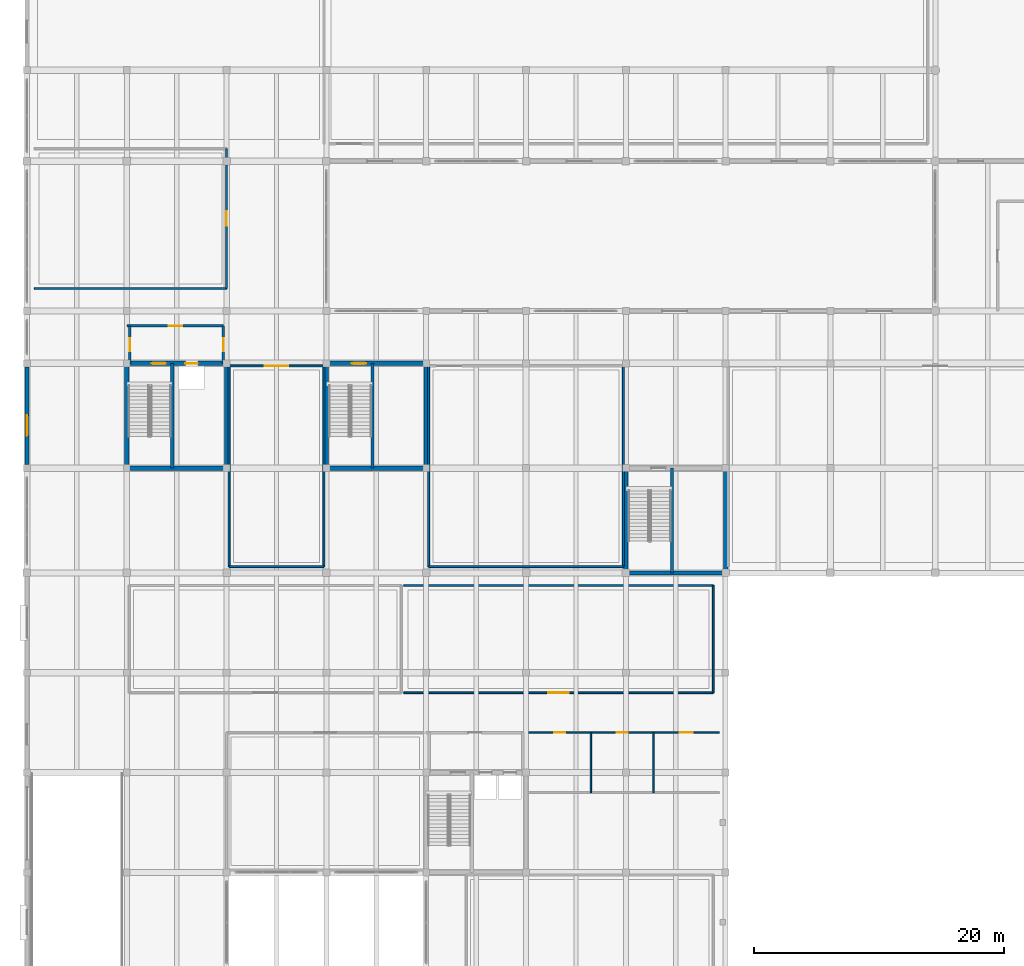
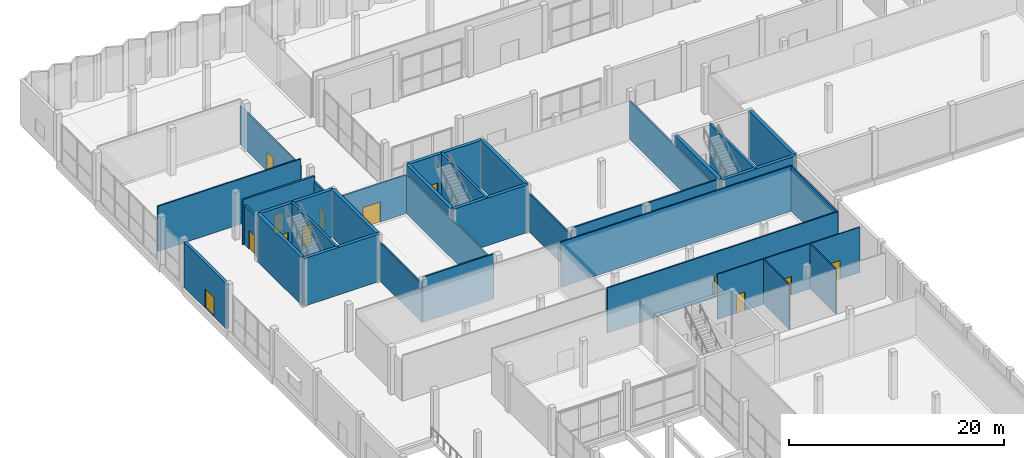
# One storey, part 25 of 41: 35 walls, 13 doors, 13 openings.
"""IFC4 building model written with IfcOpenShell, lengths in metres."""

from ifc_helpers import new_model, si_unit, direction, frame, frame_2d, origin, place, context, subcontext, project, spatial, rectangle, extrude, material, layer, layer_set, type_object, element, fill, save


model = new_model("IFC4")

# Units and contexts
model_context = context("Model", 3, precision=1e-05, world=origin(), true_north=direction((0.0, 1.0)))
body_context = subcontext(model_context, "Body", "Model", "MODEL_VIEW")
ifc_project = project(units=[si_unit("LENGTHUNIT", "METRE"), si_unit("AREAUNIT", "SQUARE_METRE"), si_unit("VOLUMEUNIT", "CUBIC_METRE"), si_unit("PLANEANGLEUNIT", "RADIAN"), si_unit("MASSUNIT", "GRAM", prefix="KILO")], contexts=[model_context])

# Site, building, storey
site_placement = place(None, origin())
site = spatial("IfcSite", under=ifc_project, at=site_placement, CompositionType="ELEMENT")
building_placement = place(site_placement, origin())
building = spatial("IfcBuilding", under=site, at=building_placement, Name="Vharandega Faculty of Natural Sciences", CompositionType="ELEMENT")
storey_placement = place(building_placement, origin())
storey = spatial("IfcBuildingStorey", under=building, at=storey_placement, Name="L00", CompositionType="ELEMENT", Elevation=0.0)

# Walls
ifc_material_1 = material(Name="Concrete C40/50", Category="concrete")
ifc_layer_1 = layer(ifc_material_1, 0.35009765625, Name="Concrete C40/50")
ifc_layer_set_1 = layer_set([ifc_layer_1], Name="Concrete C40/50")
wall_type_1 = type_object("IfcWallType", Name="Core Shear Wall 350", PredefinedType="SHEAR", material=ifc_layer_set_1)
wall_1_placement = place(storey_placement, frame((8.0, 72.39990234375, 0.0), z_axis=(0.0, 0.0, 1.0), x_axis=(1.0, 0.0, 0.0)))
element("IfcWall", 1, at=wall_1_placement, inside=storey, type_object=wall_type_1, Name="Interior Wall CW-C4-L00-S", PredefinedType="SHEAR", context=body_context, shape_type="SweptSolid", body=[
    extrude(rectangle(XDim=8.0, YDim=0.35009765625, at=frame_2d((4.0, 0.0))), origin(), (0.0, 0.0, 1.0), 5.39990234375),
])
for number, where, z_axis, x_axis, name in (
    (2, (8.0, 72.39990234375, 0.0), (0.0, 0.0, 1.0), (0.0, 1.0, 0.0), "Interior Wall CW-C4-L00-W"),
    (3, (16.0, 72.39990234375, 0.0), (0.0, 0.0, 1.0), (0.0, 1.0, 0.0), "Interior Wall CW-C4-L00-E"),
):
    element("IfcWall", number, at=place(storey_placement, frame(where, z_axis=z_axis, x_axis=x_axis)), inside=storey, type_object=wall_type_1, Name=name, PredefinedType="SHEAR", context=body_context, shape_type="SweptSolid", body=[
        extrude(rectangle(XDim=8.400146484375, YDim=0.35009765625, at=frame_2d((4.2001953125, 0.0))), origin(), (0.0, 0.0, 1.0), 5.39990234375),
    ])

# Wall, openings, doors
wall_2_placement = place(storey_placement, frame((8.0, 80.800048828125, 0.0), z_axis=(0.0, 0.0, 1.0), x_axis=(1.0, 0.0, 0.0)))
wall_2 = element("IfcWall", 4, at=wall_2_placement, inside=storey, type_object=wall_type_1, Name="Interior Wall CW-C4-L00-N", PredefinedType="SHEAR", context=body_context, shape_type="SweptSolid", body=[
    extrude(rectangle(XDim=8.0, YDim=0.35009765625, at=frame_2d((4.0, 0.0))), origin(), (0.0, 0.0, 1.0), 5.39990234375),
])
opening_1_placement = place(wall_2_placement, frame((1.97998046875, 0.0, 0.0)))
opening_1 = element("IfcOpeningElement", 5, at=opening_1_placement, cuts=wall_2, Name="Opening FD1", PredefinedType="OPENING", context=body_context, shape_type="SweptSolid", body=[
    extrude(rectangle(XDim=1.14990234375, YDim=2.199951171875, at=frame_2d((0.574951171875, 1.10009765625))), frame((0.0, 0.18505859375, 0.0), z_axis=(0.0, -1.0, 0.0), x_axis=(1.0, 0.0, 0.0)), (0.0, 0.0, 1.0), 0.3701171875),
])
opening_2_placement = place(wall_2_placement, frame((4.699951171875, 0.0, 0.0)))
opening_2 = element("IfcOpeningElement", 6, at=opening_2_placement, cuts=wall_2, Name="Opening LD-LP2-L00", PredefinedType="OPENING", context=body_context, shape_type="SweptSolid", body=[
    extrude(rectangle(XDim=1.0, YDim=2.14990234375, at=frame_2d((0.5, 1.074951171875))), frame((0.0, 0.18505859375, 0.0), z_axis=(0.0, -1.0, 0.0), x_axis=(1.0, 0.0, 0.0)), (0.0, 0.0, 1.0), 0.3701171875),
])
ifc_material_2 = material(Name="Solid-core hardwood timber fire door", Category="wood")
door_type_1 = type_object("IfcDoorType", Name="FD1-STAIR-1150x2200", OperationType="NOTDEFINED", PredefinedType="DOOR", material=ifc_material_2)
door_1_placement = place(opening_1_placement, origin())
door_1 = element("IfcDoor", 7, at=door_1_placement, inside=storey, type_object=door_type_1, Name="Stair ST4 Fire Door FD1", OperationType="SINGLE_SWING_LEFT", OverallHeight=2.199951171875, OverallWidth=1.14990234375, PredefinedType="DOOR", context=body_context, shape_type="SweptSolid", body=[
    extrude(rectangle(XDim=1.14990234375, YDim=2.199951171875, at=frame_2d((0.574951171875, 1.10009765625))), frame((0.0, 0.02490234375, 0.0), z_axis=(0.0, -1.0, 0.0), x_axis=(1.0, 0.0, 0.0)), (0.0, 0.0, 1.0), 0.050048828125),
])
fill(opening_1, door_1)
ifc_material_3 = material(Name="Brushed stainless steel sliding landing door", Category="steel")
door_type_2 = type_object("IfcDoorType", Name="LD2-PAXLIFT-SLIDING-1000x2150", OperationType="DOUBLE_DOOR_SLIDING", PredefinedType="DOOR", material=ifc_material_3)
door_2_placement = place(opening_2_placement, origin())
door_2 = element("IfcDoor", 8, at=door_2_placement, inside=storey, type_object=door_type_2, Name="Lift Landing Door LD-LP2-L00", OperationType="DOUBLE_DOOR_SLIDING", OverallHeight=2.14990234375, OverallWidth=1.0, PredefinedType="DOOR", context=body_context, shape_type="SweptSolid", body=[
    extrude(rectangle(XDim=1.0, YDim=2.14990234375, at=frame_2d((0.5, 1.074951171875))), frame((0.0, 0.02490234375, 0.0), z_axis=(0.0, -1.0, 0.0), x_axis=(1.0, 0.0, 0.0)), (0.0, 0.0, 1.0), 0.050048828125),
])
fill(opening_2, door_2)

# Walls
wall_3_placement = place(storey_placement, frame((48.0, 64.0, 0.0), z_axis=(0.0, 0.0, 1.0), x_axis=(1.0, 0.0, 0.0)))
element("IfcWall", 9, at=wall_3_placement, inside=storey, type_object=wall_type_1, Name="Interior Wall CW-C5-L00-S", PredefinedType="SHEAR", context=body_context, shape_type="SweptSolid", body=[
    extrude(rectangle(XDim=8.0, YDim=0.35009765625, at=frame_2d((4.0, 0.0))), origin(), (0.0, 0.0, 1.0), 5.39990234375),
])
for number, where, z_axis, x_axis, name in (
    (10, (48.0, 64.0, 0.0), (0.0, 0.0, 1.0), (0.0, 1.0, 0.0), "Interior Wall CW-C5-L00-W"),
    (11, (56.0, 64.0, 0.0), (0.0, 0.0, 1.0), (0.0, 1.0, 0.0), "Interior Wall CW-C5-L00-E"),
):
    element("IfcWall", number, at=place(storey_placement, frame(where, z_axis=z_axis, x_axis=x_axis)), inside=storey, type_object=wall_type_1, Name=name, PredefinedType="SHEAR", context=body_context, shape_type="SweptSolid", body=[
        extrude(rectangle(XDim=8.39990234375, YDim=0.35009765625, at=frame_2d((4.199951171875, 0.0))), origin(), (0.0, 0.0, 1.0), 5.39990234375),
    ])
wall_4_placement = place(storey_placement, frame((24.0, 72.39990234375, 0.0), z_axis=(0.0, 0.0, 1.0), x_axis=(1.0, 0.0, 0.0)))
element("IfcWall", 12, at=wall_4_placement, inside=storey, type_object=wall_type_1, Name="Interior Wall CW-C6-L00-S", PredefinedType="SHEAR", context=body_context, shape_type="SweptSolid", body=[
    extrude(rectangle(XDim=8.0, YDim=0.35009765625, at=frame_2d((4.0, 0.0))), origin(), (0.0, 0.0, 1.0), 5.39990234375),
])
for number, where, z_axis, x_axis, name in (
    (13, (24.0, 72.39990234375, 0.0), (0.0, 0.0, 1.0), (0.0, 1.0, 0.0), "Interior Wall CW-C6-L00-W"),
    (14, (32.0, 72.39990234375, 0.0), (0.0, 0.0, 1.0), (0.0, 1.0, 0.0), "Interior Wall CW-C6-L00-E"),
):
    element("IfcWall", number, at=place(storey_placement, frame(where, z_axis=z_axis, x_axis=x_axis)), inside=storey, type_object=wall_type_1, Name=name, PredefinedType="SHEAR", context=body_context, shape_type="SweptSolid", body=[
        extrude(rectangle(XDim=8.400146484375, YDim=0.35009765625, at=frame_2d((4.2001953125, 0.0))), origin(), (0.0, 0.0, 1.0), 5.39990234375),
    ])

# Wall, opening, door
wall_5_placement = place(storey_placement, frame((24.0, 80.800048828125, 0.0), z_axis=(0.0, 0.0, 1.0), x_axis=(1.0, 0.0, 0.0)))
wall_5 = element("IfcWall", 15, at=wall_5_placement, inside=storey, type_object=wall_type_1, Name="Interior Wall CW-C6-L00-N", PredefinedType="SHEAR", context=body_context, shape_type="SweptSolid", body=[
    extrude(rectangle(XDim=8.0, YDim=0.35009765625, at=frame_2d((4.0, 0.0))), origin(), (0.0, 0.0, 1.0), 5.39990234375),
])
opening_3_placement = place(wall_5_placement, frame((2.0400390625, 0.0, 0.0)))
opening_3 = element("IfcOpeningElement", 16, at=opening_3_placement, cuts=wall_5, Name="Opening FD1", PredefinedType="OPENING", context=body_context, shape_type="SweptSolid", body=[
    extrude(rectangle(XDim=1.14990234375, YDim=2.199951171875, at=frame_2d((0.574951171875, 1.10009765625))), frame((0.0, 0.18505859375, 0.0), z_axis=(0.0, -1.0, 0.0), x_axis=(1.0, 0.0, 0.0)), (0.0, 0.0, 1.0), 0.3701171875),
])
door_3_placement = place(opening_3_placement, origin())
door_3 = element("IfcDoor", 17, at=door_3_placement, inside=storey, type_object=door_type_1, Name="Stair ST6 Fire Door FD1", OperationType="SINGLE_SWING_LEFT", OverallHeight=2.199951171875, OverallWidth=1.14990234375, PredefinedType="DOOR", context=body_context, shape_type="SweptSolid", body=[
    extrude(rectangle(XDim=1.14990234375, YDim=2.199951171875, at=frame_2d((0.574951171875, 1.10009765625))), frame((0.0, 0.02490234375, 0.0), z_axis=(0.0, -1.0, 0.0), x_axis=(1.0, 0.0, 0.0)), (0.0, 0.0, 1.0), 0.050048828125),
])
fill(opening_3, door_3)

ifc_material_4 = material(Name="Concrete C40/50", Category="concrete")
ifc_layer_2 = layer(ifc_material_4, 0.199951171875, Name="Concrete C40/50")
ifc_layer_set_2 = layer_set([ifc_layer_2], Name="Concrete C40/50")
wall_type_2 = type_object("IfcWallType", Name="Firefighting Lobby Wall 200", PredefinedType="PARTITIONING", material=ifc_layer_set_2)
wall_6_placement = place(storey_placement, frame((8.0, 83.800048828125, 0.0), z_axis=(0.0, 0.0, 1.0), x_axis=(1.0, 0.0, 0.0)))
wall_6 = element("IfcWall", 18, at=wall_6_placement, inside=storey, type_object=wall_type_2, Name="Interior Wall PW-LL-C4-L00-N", PredefinedType="PARTITIONING", context=body_context, shape_type="SweptSolid", body=[
    extrude(rectangle(XDim=7.75, YDim=0.199951171875, at=frame_2d((3.875, 0.0))), origin(), (0.0, 0.0, 1.0), 5.1201171875),
])
opening_4_placement = place(wall_6_placement, frame((3.375, 0.0, 0.0)))
opening_4 = element("IfcOpeningElement", 19, at=opening_4_placement, cuts=wall_6, Name="Opening FD4", PredefinedType="OPENING", context=body_context, shape_type="SweptSolid", body=[
    extrude(rectangle(XDim=1.050048828125, YDim=2.14990234375, at=frame_2d((0.52490234375, 1.074951171875))), frame((0.0, 0.10986328125, 0.0), z_axis=(0.0, -1.0, 0.0), x_axis=(1.0, 0.0, 0.0)), (0.0, 0.0, 1.0), 0.219970703125),
])
ifc_material_5 = material(Name="Solid-core hardwood timber fire door", Category="wood")
door_type_3 = type_object("IfcDoorType", Name="FD4-LAB-SGL-1050x2150", OperationType="NOTDEFINED", PredefinedType="DOOR", material=ifc_material_5)
door_4_placement = place(opening_4_placement, origin())
door_4 = element("IfcDoor", 20, at=door_4_placement, inside=storey, type_object=door_type_3, Name="Lift Lobby C4 Door FD4", OperationType="SINGLE_SWING_LEFT", OverallHeight=2.14990234375, OverallWidth=1.050048828125, PredefinedType="DOOR", context=body_context, shape_type="SweptSolid", body=[
    extrude(rectangle(XDim=1.050048828125, YDim=2.14990234375, at=frame_2d((0.52490234375, 1.074951171875))), frame((0.0, 0.02490234375, 0.0), z_axis=(0.0, -1.0, 0.0), x_axis=(1.0, 0.0, 0.0)), (0.0, 0.0, 1.0), 0.050048828125),
])
fill(opening_4, door_4)

wall_7_placement = place(storey_placement, frame((15.75, 80.800048828125, 0.0), z_axis=(0.0, 0.0, 1.0), x_axis=(0.0, 1.0, 0.0)))
wall_7 = element("IfcWall", 21, at=wall_7_placement, inside=storey, type_object=wall_type_2, Name="Interior Wall PW-LL-C4-L00-E", PredefinedType="PARTITIONING", context=body_context, shape_type="SweptSolid", body=[
    extrude(rectangle(XDim=3.0, YDim=0.199951171875, at=frame_2d((1.5, 0.0))), origin(), (0.0, 0.0, 1.0), 4.489990234375),
])
opening_5_placement = place(wall_7_placement, frame((0.97509765625, 0.0, 0.0)))
opening_5 = element("IfcOpeningElement", 22, at=opening_5_placement, cuts=wall_7, Name="Opening FD4", PredefinedType="OPENING", context=body_context, shape_type="SweptSolid", body=[
    extrude(rectangle(XDim=1.050048828125, YDim=2.14990234375, at=frame_2d((0.52490234375, 1.074951171875))), frame((0.0, 0.10986328125, 0.0), z_axis=(0.0, -1.0, 0.0), x_axis=(1.0, 0.0, 0.0)), (0.0, 0.0, 1.0), 0.219970703125),
])
door_5_placement = place(opening_5_placement, origin())
door_5 = element("IfcDoor", 23, at=door_5_placement, inside=storey, type_object=door_type_3, Name="Lift Lobby C4 East Door FD4", OperationType="SINGLE_SWING_RIGHT", OverallHeight=2.14990234375, OverallWidth=1.050048828125, PredefinedType="DOOR", context=body_context, shape_type="SweptSolid", body=[
    extrude(rectangle(XDim=1.050048828125, YDim=2.14990234375, at=frame_2d((0.52490234375, 1.074951171875))), frame((0.0, 0.02490234375, 0.0), z_axis=(0.0, -1.0, 0.0), x_axis=(1.0, 0.0, 0.0)), (0.0, 0.0, 1.0), 0.050048828125),
])
fill(opening_5, door_5)

wall_8_placement = place(storey_placement, frame((8.25, 80.800048828125, 0.0), z_axis=(0.0, 0.0, 1.0), x_axis=(0.0, 1.0, 0.0)))
wall_8 = element("IfcWall", 24, at=wall_8_placement, inside=storey, type_object=wall_type_2, Name="Interior Wall PW-LL-C4-L00-W", PredefinedType="PARTITIONING", context=body_context, shape_type="SweptSolid", body=[
    extrude(rectangle(XDim=3.0, YDim=0.199951171875, at=frame_2d((1.5, 0.0))), origin(), (0.0, 0.0, 1.0), 4.489990234375),
])
opening_6_placement = place(wall_8_placement, frame((0.97509765625, 0.0, 0.0)))
opening_6 = element("IfcOpeningElement", 25, at=opening_6_placement, cuts=wall_8, Name="Opening FD4", PredefinedType="OPENING", context=body_context, shape_type="SweptSolid", body=[
    extrude(rectangle(XDim=1.050048828125, YDim=2.14990234375, at=frame_2d((0.52490234375, 1.074951171875))), frame((0.0, 0.10986328125, 0.0), z_axis=(0.0, -1.0, 0.0), x_axis=(1.0, 0.0, 0.0)), (0.0, 0.0, 1.0), 0.219970703125),
])
door_6_placement = place(opening_6_placement, origin())
door_6 = element("IfcDoor", 26, at=door_6_placement, inside=storey, type_object=door_type_3, Name="Lift Lobby C4 Exit Door FD4", OperationType="SINGLE_SWING_LEFT", OverallHeight=2.14990234375, OverallWidth=1.050048828125, PredefinedType="DOOR", context=body_context, shape_type="SweptSolid", body=[
    extrude(rectangle(XDim=1.050048828125, YDim=2.14990234375, at=frame_2d((0.52490234375, 1.074951171875))), frame((0.0, 0.02490234375, 0.0), z_axis=(0.0, -1.0, 0.0), x_axis=(1.0, 0.0, 0.0)), (0.0, 0.0, 1.0), 0.050048828125),
])
fill(opening_6, door_6)

ifc_material_6 = material(Name="Granite ashlar masonry 25 MPa", Category="masonry")
ifc_layer_3 = layer(ifc_material_6, 0.320068359375, Name="Granite ashlar masonry 25 MPa")
ifc_layer_set_3 = layer_set([ifc_layer_3], Name="Granite ashlar masonry 25 MPa")
wall_type_3 = type_object("IfcWallType", Name="Harare Granite Plinth Wall 320", PredefinedType="SOLIDWALL", material=ifc_layer_set_3)
wall_9_placement = place(storey_placement, frame((0.0, 72.673095703125, 0.0), z_axis=(0.0, 0.0, 1.0), x_axis=(0.0, 1.0, 0.0)))
wall_9 = element("IfcWall", 27, at=wall_9_placement, inside=storey, type_object=wall_type_3, Name="Exterior Wall EW-V2W-L00-2", PredefinedType="SOLIDWALL", context=body_context, shape_type="SweptSolid", body=[
    extrude(rectangle(XDim=7.85400390625, YDim=0.320068359375, at=frame_2d((3.927001953125, 0.0))), origin(), (0.0, 0.0, 1.0), 5.1201171875),
])
opening_7_placement = place(wall_9_placement, frame((2.306884765625, 0.0, 0.0)))
opening_7 = element("IfcOpeningElement", 28, at=opening_7_placement, cuts=wall_9, Name="Opening EX-C4", PredefinedType="OPENING", context=body_context, shape_type="SweptSolid", body=[
    extrude(rectangle(XDim=1.64990234375, YDim=2.199951171875, at=frame_2d((0.824951171875, 1.10009765625))), frame((0.0, 0.169921875, 0.0), z_axis=(0.0, -1.0, 0.0), x_axis=(1.0, 0.0, 0.0)), (0.0, 0.0, 1.0), 0.340087890625),
])
ifc_material_7 = material(Name="Thermally broken glazed aluminium door", Category="aluminium")
door_type_4 = type_object("IfcDoorType", Name="EXT-EXIT-DBL-1650x2200", OperationType="DOUBLE_DOOR_SINGLE_SWING", PredefinedType="DOOR", material=ifc_material_7)
door_7_placement = place(opening_7_placement, origin())
door_7 = element("IfcDoor", 29, at=door_7_placement, inside=storey, type_object=door_type_4, Name="Core C4 Street Final Exit EX-C4", OperationType="DOUBLE_DOOR_SINGLE_SWING", OverallHeight=2.199951171875, OverallWidth=1.64990234375, PredefinedType="DOOR", context=body_context, shape_type="SweptSolid", body=[
    extrude(rectangle(XDim=1.64990234375, YDim=2.199951171875, at=frame_2d((0.824951171875, 1.10009765625))), frame((0.0, 0.02490234375, 0.0), z_axis=(0.0, -1.0, 0.0), x_axis=(1.0, 0.0, 0.0)), (0.0, 0.0, 1.0), 0.050048828125),
])
fill(opening_7, door_7)

# Wall
ifc_material_8 = material(Name="Gypsum fire-board on steel stud", Category="steel")
ifc_layer_4 = layer(ifc_material_8, 0.159912109375, Name="Gypsum fire-board on steel stud")
ifc_layer_set_4 = layer_set([ifc_layer_4], Name="Gypsum fire-board on steel stud")
wall_type_4 = type_object("IfcWallType", Name="Laboratory Fire Corridor Wall 160", PredefinedType="PARTITIONING", material=ifc_layer_set_4)
wall_10_placement = place(storey_placement, frame((16.199951171875, 64.5, 0.0), z_axis=(0.0, 0.0, 1.0), x_axis=(1.0, 0.0, 0.0)))
element("IfcWall", 30, at=wall_10_placement, inside=storey, type_object=wall_type_4, Name="Interior Wall PW-L00-R14S", PredefinedType="PARTITIONING", context=body_context, shape_type="SweptSolid", body=[
    extrude(rectangle(XDim=7.60009765625, YDim=0.159912109375, at=frame_2d((3.800048828125, 0.0))), origin(), (0.0, 0.0, 1.0), 5.139892578125),
])

# Wall, opening, door
wall_11_placement = place(storey_placement, frame((16.199951171875, 80.60009765625, 0.0), z_axis=(0.0, 0.0, 1.0), x_axis=(1.0, 0.0, 0.0)))
wall_11 = element("IfcWall", 31, at=wall_11_placement, inside=storey, type_object=wall_type_4, Name="Interior Wall PW-L00-R14N", PredefinedType="PARTITIONING", context=body_context, shape_type="SweptSolid", body=[
    extrude(rectangle(XDim=7.60009765625, YDim=0.159912109375, at=frame_2d((3.800048828125, 0.0))), origin(), (0.0, 0.0, 1.0), 4.389892578125),
])
opening_8_placement = place(wall_11_placement, frame((2.85009765625, 0.0, 0.0)))
opening_8 = element("IfcOpeningElement", 32, at=opening_8_placement, cuts=wall_11, Name="Opening D0241", PredefinedType="OPENING", context=body_context, shape_type="SweptSolid", body=[
    extrude(rectangle(XDim=1.89990234375, YDim=2.300048828125, at=frame_2d((0.949951171875, 1.14990234375))), frame((0.0, 0.08984375, 0.0), z_axis=(0.0, -1.0, 0.0), x_axis=(1.0, 0.0, 0.0)), (0.0, 0.0, 1.0), 0.179931640625),
])
ifc_material_9 = material(Name="Solid-core hardwood timber fire door", Category="wood")
door_type_5 = type_object("IfcDoorType", Name="ID08-COMMONS-DBL-1900x2300", OperationType="DOUBLE_DOOR_SINGLE_SWING", PredefinedType="DOOR", material=ifc_material_9)
door_8_placement = place(opening_8_placement, origin())
door_8 = element("IfcDoor", 33, at=door_8_placement, inside=storey, type_object=door_type_5, Name="Atrium West Exhibition Gallery Door D0241", OperationType="DOUBLE_DOOR_SINGLE_SWING", OverallHeight=2.300048828125, OverallWidth=1.89990234375, PredefinedType="DOOR", context=body_context, shape_type="SweptSolid", body=[
    extrude(rectangle(XDim=1.89990234375, YDim=2.300048828125, at=frame_2d((0.949951171875, 1.14990234375))), frame((0.0, 0.02490234375, 0.0), z_axis=(0.0, -1.0, 0.0), x_axis=(1.0, 0.0, 0.0)), (0.0, 0.0, 1.0), 0.050048828125),
])
fill(opening_8, door_8)

# Walls
wall_12_placement = place(storey_placement, frame((16.199951171875, 64.5, 0.0), z_axis=(0.0, 0.0, 1.0), x_axis=(0.0, 1.0, 0.0)))
element("IfcWall", 34, at=wall_12_placement, inside=storey, type_object=wall_type_4, Name="Interior Wall PW-L00-R14W", PredefinedType="PARTITIONING", context=body_context, shape_type="SweptSolid", body=[
    extrude(rectangle(XDim=16.10009765625, YDim=0.159912109375, at=frame_2d((8.050048828125, 0.0))), origin(), (0.0, 0.0, 1.0), 4.389892578125),
])
wall_13_placement = place(storey_placement, frame((23.800048828125, 64.5, 0.0), z_axis=(0.0, 0.0, 1.0), x_axis=(0.0, 1.0, 0.0)))
element("IfcWall", 35, at=wall_13_placement, inside=storey, type_object=wall_type_4, Name="Interior Wall PW-L00-R14E", PredefinedType="PARTITIONING", context=body_context, shape_type="SweptSolid", body=[
    extrude(rectangle(XDim=16.10009765625, YDim=0.159912109375, at=frame_2d((8.050048828125, 0.0))), origin(), (0.0, 0.0, 1.0), 4.3701171875),
])
wall_14_placement = place(storey_placement, frame((32.199951171875, 64.5, 0.0), z_axis=(0.0, 0.0, 1.0), x_axis=(1.0, 0.0, 0.0)))
element("IfcWall", 36, at=wall_14_placement, inside=storey, type_object=wall_type_4, Name="Interior Wall PW-L00-R15S", PredefinedType="PARTITIONING", context=body_context, shape_type="SweptSolid", body=[
    extrude(rectangle(XDim=15.60009765625, YDim=0.159912109375, at=frame_2d((7.800048828125, 0.0))), origin(), (0.0, 0.0, 1.0), 5.139892578125),
])
for number, where, z_axis, x_axis, name in (
    (37, (32.199951171875, 64.5, 0.0), (0.0, 0.0, 1.0), (0.0, 1.0, 0.0), "Interior Wall PW-L00-R15W"),
    (38, (47.800048828125, 64.5, 0.0), (0.0, 0.0, 1.0), (0.0, 1.0, 0.0), "Interior Wall PW-L00-R15E"),
):
    element("IfcWall", number, at=place(storey_placement, frame(where, z_axis=z_axis, x_axis=x_axis)), inside=storey, type_object=wall_type_4, Name=name, PredefinedType="PARTITIONING", context=body_context, shape_type="SweptSolid", body=[
        extrude(rectangle(XDim=16.10009765625, YDim=0.159912109375, at=frame_2d((8.050048828125, 0.0))), origin(), (0.0, 0.0, 1.0), 4.3701171875),
    ])
ifc_material_10 = material(Name="Concrete C40/50", Category="concrete")
ifc_layer_5 = layer(ifc_material_10, 0.260009765625, Name="Concrete C40/50")
ifc_layer_set_5 = layer_set([ifc_layer_5], Name="Concrete C40/50")
wall_type_5 = type_object("IfcWallType", Name="Lift Shaft Shear Wall 260", PredefinedType="SHEAR", material=ifc_layer_set_5)
wall_15_placement = place(storey_placement, frame((11.639892578125, 72.39990234375, 0.0), z_axis=(0.0, 0.0, 1.0), x_axis=(0.0, 1.0, 0.0)))
element("IfcWall", 39, at=wall_15_placement, inside=storey, type_object=wall_type_5, Name="Interior Wall CW-C4-L00-DIV", PredefinedType="SHEAR", context=body_context, shape_type="SweptSolid", body=[
    extrude(rectangle(XDim=8.400146484375, YDim=0.260009765625, at=frame_2d((4.2001953125, 0.0))), origin(), (0.0, 0.0, 1.0), 5.39990234375),
])
wall_16_placement = place(storey_placement, frame((51.699951171875, 64.0, 0.0), z_axis=(0.0, 0.0, 1.0), x_axis=(0.0, 1.0, 0.0)))
element("IfcWall", 40, at=wall_16_placement, inside=storey, type_object=wall_type_5, Name="Interior Wall CW-C5-L00-DIV", PredefinedType="SHEAR", context=body_context, shape_type="SweptSolid", body=[
    extrude(rectangle(XDim=8.39990234375, YDim=0.260009765625, at=frame_2d((4.199951171875, 0.0))), origin(), (0.0, 0.0, 1.0), 5.39990234375),
])
wall_17_placement = place(storey_placement, frame((27.699951171875, 72.39990234375, 0.0), z_axis=(0.0, 0.0, 1.0), x_axis=(0.0, 1.0, 0.0)))
element("IfcWall", 41, at=wall_17_placement, inside=storey, type_object=wall_type_5, Name="Interior Wall CW-C6-L00-DIV", PredefinedType="SHEAR", context=body_context, shape_type="SweptSolid", body=[
    extrude(rectangle(XDim=8.400146484375, YDim=0.260009765625, at=frame_2d((4.2001953125, 0.0))), origin(), (0.0, 0.0, 1.0), 5.39990234375),
])

# Wall, opening, door
ifc_material_11 = material(Name="Gypsum acoustic partition", Category="gypsum")
ifc_layer_6 = layer(ifc_material_11, 0.139892578125, Name="Gypsum acoustic partition")
ifc_layer_set_6 = layer_set([ifc_layer_6], Name="Gypsum acoustic partition")
wall_type_6 = type_object("IfcWallType", Name="Room Partition Wall 140", PredefinedType="PARTITIONING", material=ifc_layer_set_6)
wall_18_placement = place(storey_placement, frame((30.199951171875, 54.39990234375, 0.0), z_axis=(0.0, 0.0, 1.0), x_axis=(1.0, 0.0, 0.0)))
wall_18 = element("IfcWall", 42, at=wall_18_placement, inside=storey, type_object=wall_type_6, Name="Interior Wall PW-L00-R06S", PredefinedType="PARTITIONING", context=body_context, shape_type="SweptSolid", body=[
    extrude(rectangle(XDim=24.800048828125, YDim=0.139892578125, at=frame_2d((12.39990234375, 0.0))), origin(), (0.0, 0.0, 1.0), 5.139892578125),
])
opening_9_placement = place(wall_18_placement, frame((11.574951171875, 0.0, 0.0)))
opening_9 = element("IfcOpeningElement", 43, at=opening_9_placement, cuts=wall_18, Name="Opening D0234", PredefinedType="OPENING", context=body_context, shape_type="SweptSolid", body=[
    extrude(rectangle(XDim=1.64990234375, YDim=2.300048828125, at=frame_2d((0.824951171875, 1.14990234375))), frame((0.0, 0.080078125, 0.0), z_axis=(0.0, -1.0, 0.0), x_axis=(1.0, 0.0, 0.0)), (0.0, 0.0, 1.0), 0.159912109375),
])
ifc_material_12 = material(Name="Solid-core hardwood timber fire door", Category="wood")
door_type_6 = type_object("IfcDoorType", Name="ID11-BOARDROOM-DBL-1650x2300", OperationType="DOUBLE_DOOR_SINGLE_SWING", PredefinedType="DOOR", material=ifc_material_12)
door_9_placement = place(opening_9_placement, origin())
door_9 = element("IfcDoor", 44, at=door_9_placement, inside=storey, type_object=door_type_6, Name="Undergraduate Tutorial Room 03 Door D0234", OperationType="DOUBLE_DOOR_SINGLE_SWING", OverallHeight=2.300048828125, OverallWidth=1.64990234375, PredefinedType="DOOR", context=body_context, shape_type="SweptSolid", body=[
    extrude(rectangle(XDim=1.64990234375, YDim=2.300048828125, at=frame_2d((0.824951171875, 1.14990234375))), frame((0.0, 0.02490234375, 0.0), z_axis=(0.0, -1.0, 0.0), x_axis=(1.0, 0.0, 0.0)), (0.0, 0.0, 1.0), 0.050048828125),
])
fill(opening_9, door_9)

# Walls
wall_19_placement = place(storey_placement, frame((30.199951171875, 63.0, 0.0), z_axis=(0.0, 0.0, 1.0), x_axis=(1.0, 0.0, 0.0)))
element("IfcWall", 45, at=wall_19_placement, inside=storey, type_object=wall_type_6, Name="Interior Wall PW-L00-R06N", PredefinedType="PARTITIONING", context=body_context, shape_type="SweptSolid", body=[
    extrude(rectangle(XDim=24.800048828125, YDim=0.139892578125, at=frame_2d((12.39990234375, 0.0))), origin(), (0.0, 0.0, 1.0), 5.139892578125),
])
wall_20_placement = place(storey_placement, frame((55.0, 54.39990234375, 0.0), z_axis=(0.0, 0.0, 1.0), x_axis=(0.0, 1.0, 0.0)))
element("IfcWall", 46, at=wall_20_placement, inside=storey, type_object=wall_type_6, Name="Interior Wall PW-L00-R06E", PredefinedType="PARTITIONING", context=body_context, shape_type="SweptSolid", body=[
    extrude(rectangle(XDim=8.60009765625, YDim=0.139892578125, at=frame_2d((4.300048828125, 0.0))), origin(), (0.0, 0.0, 1.0), 5.139892578125),
])
wall_21_placement = place(storey_placement, frame((0.60009765625, 86.800048828125, 0.0), z_axis=(0.0, 0.0, 1.0), x_axis=(1.0, 0.0, 0.0)))
element("IfcWall", 47, at=wall_21_placement, inside=storey, type_object=wall_type_6, Name="Interior Wall PW-L00-R10S", PredefinedType="PARTITIONING", context=body_context, shape_type="SweptSolid", body=[
    extrude(rectangle(XDim=15.39990234375, YDim=0.139892578125, at=frame_2d((7.699951171875, 0.0))), origin(), (0.0, 0.0, 1.0), 5.139892578125),
])

# Wall, opening, door
wall_22_placement = place(storey_placement, frame((16.0, 86.800048828125, 0.0), z_axis=(0.0, 0.0, 1.0), x_axis=(0.0, 1.0, 0.0)))
wall_22 = element("IfcWall", 48, at=wall_22_placement, inside=storey, type_object=wall_type_6, Name="Interior Wall PW-L00-R10E", PredefinedType="PARTITIONING", context=body_context, shape_type="SweptSolid", body=[
    extrude(rectangle(XDim=11.199951171875, YDim=0.139892578125, at=frame_2d((5.60009765625, 0.0))), origin(), (0.0, 0.0, 1.0), 4.389892578125),
])
opening_10_placement = place(wall_22_placement, frame((5.010009765625, 0.0, 0.0)))
opening_10 = element("IfcOpeningElement", 49, at=opening_10_placement, cuts=wall_22, Name="Opening D0238", PredefinedType="OPENING", context=body_context, shape_type="SweptSolid", body=[
    extrude(rectangle(XDim=1.179931640625, YDim=2.179931640625, at=frame_2d((0.58984375, 1.08984375))), frame((0.0, 0.080078125, 0.0), z_axis=(0.0, -1.0, 0.0), x_axis=(1.0, 0.0, 0.0)), (0.0, 0.0, 1.0), 0.159912109375),
])
ifc_material_13 = material(Name="Solid-core hardwood timber fire door", Category="wood")
door_type_7 = type_object("IfcDoorType", Name="ID15-TUTORIAL-1180x2180", OperationType="NOTDEFINED", PredefinedType="DOOR", material=ifc_material_13)
door_10_placement = place(opening_10_placement, origin())
door_10 = element("IfcDoor", 50, at=door_10_placement, inside=storey, type_object=door_type_7, Name="Campus Science Cafe and Dining Hall Door D0238", OperationType="SINGLE_SWING_RIGHT", OverallHeight=2.179931640625, OverallWidth=1.179931640625, PredefinedType="DOOR", context=body_context, shape_type="SweptSolid", body=[
    extrude(rectangle(XDim=1.179931640625, YDim=2.179931640625, at=frame_2d((0.58984375, 1.08984375))), frame((0.0, 0.02490234375, 0.0), z_axis=(0.0, -1.0, 0.0), x_axis=(1.0, 0.0, 0.0)), (0.0, 0.0, 1.0), 0.050048828125),
])
fill(opening_10, door_10)

ifc_material_14 = material(Name="Moisture-resistant gypsum partition", Category="gypsum")
ifc_layer_7 = layer(ifc_material_14, 0.1201171875, Name="Moisture-resistant gypsum partition")
ifc_layer_set_7 = layer_set([ifc_layer_7], Name="Moisture-resistant gypsum partition")
wall_type_7 = type_object("IfcWallType", Name="Sanitary Wet Wall 120", PredefinedType="PARTITIONING", material=ifc_layer_set_7)
wall_23_placement = place(storey_placement, frame((40.199951171875, 51.199951171875, 0.0), z_axis=(0.0, 0.0, 1.0), x_axis=(1.0, 0.0, 0.0)))
wall_23 = element("IfcWall", 51, at=wall_23_placement, inside=storey, type_object=wall_type_7, Name="Interior Wall PW-L00-R07N", PredefinedType="PARTITIONING", context=body_context, shape_type="SweptSolid", body=[
    extrude(rectangle(XDim=5.0, YDim=0.1201171875, at=frame_2d((2.5, 0.0))), origin(), (0.0, 0.0, 1.0), 5.139892578125),
])
opening_11_placement = place(wall_23_placement, frame((2.06005859375, 0.0, 0.0)))
opening_11 = element("IfcOpeningElement", 52, at=opening_11_placement, cuts=wall_23, Name="Opening D0235", PredefinedType="OPENING", context=body_context, shape_type="SweptSolid", body=[
    extrude(rectangle(XDim=0.8798828125, YDim=2.10009765625, at=frame_2d((0.43994140625, 1.050048828125))), frame((0.0, 0.070068359375, 0.0), z_axis=(0.0, -1.0, 0.0), x_axis=(1.0, 0.0, 0.0)), (0.0, 0.0, 1.0), 0.14013671875),
])
ifc_material_15 = material(Name="Solid-core hardwood timber fire door", Category="wood")
door_type_8 = type_object("IfcDoorType", Name="ID06-WC-0880x2100", OperationType="NOTDEFINED", PredefinedType="DOOR", material=ifc_material_15)
door_11_placement = place(opening_11_placement, origin())
door_11 = element("IfcDoor", 53, at=door_11_placement, inside=storey, type_object=door_type_8, Name="Ground Male Washroom Door D0235", OperationType="SINGLE_SWING_LEFT", OverallHeight=2.10009765625, OverallWidth=0.8798828125, PredefinedType="DOOR", context=body_context, shape_type="SweptSolid", body=[
    extrude(rectangle(XDim=0.8798828125, YDim=2.10009765625, at=frame_2d((0.43994140625, 1.050048828125))), frame((0.0, 0.02490234375, 0.0), z_axis=(0.0, -1.0, 0.0), x_axis=(1.0, 0.0, 0.0)), (0.0, 0.0, 1.0), 0.050048828125),
])
fill(opening_11, door_11)

# Wall
wall_24_placement = place(storey_placement, frame((45.199951171875, 46.39990234375, 0.0), z_axis=(0.0, 0.0, 1.0), x_axis=(0.0, 1.0, 0.0)))
element("IfcWall", 54, at=wall_24_placement, inside=storey, type_object=wall_type_7, Name="Interior Wall PW-L00-R07E", PredefinedType="PARTITIONING", context=body_context, shape_type="SweptSolid", body=[
    extrude(rectangle(XDim=4.800048828125, YDim=0.1201171875, at=frame_2d((2.39990234375, 0.0))), origin(), (0.0, 0.0, 1.0), 5.139892578125),
])

# Wall, opening, door
wall_25_placement = place(storey_placement, frame((45.199951171875, 51.199951171875, 0.0), z_axis=(0.0, 0.0, 1.0), x_axis=(1.0, 0.0, 0.0)))
wall_25 = element("IfcWall", 55, at=wall_25_placement, inside=storey, type_object=wall_type_7, Name="Interior Wall PW-L00-R08N", PredefinedType="PARTITIONING", context=body_context, shape_type="SweptSolid", body=[
    extrude(rectangle(XDim=5.0, YDim=0.1201171875, at=frame_2d((2.5, 0.0))), origin(), (0.0, 0.0, 1.0), 5.139892578125),
])
opening_12_placement = place(wall_25_placement, frame((2.06005859375, 0.0, 0.0)))
opening_12 = element("IfcOpeningElement", 56, at=opening_12_placement, cuts=wall_25, Name="Opening D0236", PredefinedType="OPENING", context=body_context, shape_type="SweptSolid", body=[
    extrude(rectangle(XDim=0.8798828125, YDim=2.10009765625, at=frame_2d((0.43994140625, 1.050048828125))), frame((0.0, 0.070068359375, 0.0), z_axis=(0.0, -1.0, 0.0), x_axis=(1.0, 0.0, 0.0)), (0.0, 0.0, 1.0), 0.14013671875),
])
door_12_placement = place(opening_12_placement, origin())
door_12 = element("IfcDoor", 57, at=door_12_placement, inside=storey, type_object=door_type_8, Name="Ground Female Washroom Door D0236", OperationType="SINGLE_SWING_RIGHT", OverallHeight=2.10009765625, OverallWidth=0.8798828125, PredefinedType="DOOR", context=body_context, shape_type="SweptSolid", body=[
    extrude(rectangle(XDim=0.8798828125, YDim=2.10009765625, at=frame_2d((0.43994140625, 1.050048828125))), frame((0.0, 0.02490234375, 0.0), z_axis=(0.0, -1.0, 0.0), x_axis=(1.0, 0.0, 0.0)), (0.0, 0.0, 1.0), 0.050048828125),
])
fill(opening_12, door_12)

# Wall
wall_26_placement = place(storey_placement, frame((50.199951171875, 46.39990234375, 0.0), z_axis=(0.0, 0.0, 1.0), x_axis=(0.0, 1.0, 0.0)))
element("IfcWall", 58, at=wall_26_placement, inside=storey, type_object=wall_type_7, Name="Interior Wall PW-L00-R08E", PredefinedType="PARTITIONING", context=body_context, shape_type="SweptSolid", body=[
    extrude(rectangle(XDim=4.800048828125, YDim=0.1201171875, at=frame_2d((2.39990234375, 0.0))), origin(), (0.0, 0.0, 1.0), 5.139892578125),
])

# Wall, opening, door
wall_27_placement = place(storey_placement, frame((50.199951171875, 51.199951171875, 0.0), z_axis=(0.0, 0.0, 1.0), x_axis=(1.0, 0.0, 0.0)))
wall_27 = element("IfcWall", 59, at=wall_27_placement, inside=storey, type_object=wall_type_7, Name="Interior Wall PW-L00-R09N", PredefinedType="PARTITIONING", context=body_context, shape_type="SweptSolid", body=[
    extrude(rectangle(XDim=5.300048828125, YDim=0.1201171875, at=frame_2d((2.64990234375, 0.0))), origin(), (0.0, 0.0, 1.0), 5.139892578125),
])
opening_13_placement = place(wall_27_placement, frame((2.139892578125, 0.0, 0.0)))
opening_13 = element("IfcOpeningElement", 60, at=opening_13_placement, cuts=wall_27, Name="Opening D0237", PredefinedType="OPENING", context=body_context, shape_type="SweptSolid", body=[
    extrude(rectangle(XDim=1.02001953125, YDim=2.10009765625, at=frame_2d((0.510009765625, 1.050048828125))), frame((0.0, 0.070068359375, 0.0), z_axis=(0.0, -1.0, 0.0), x_axis=(1.0, 0.0, 0.0)), (0.0, 0.0, 1.0), 0.14013671875),
])
ifc_material_16 = material(Name="Solid-core hardwood timber fire door", Category="wood")
door_type_9 = type_object("IfcDoorType", Name="ID07-ACCWC-1020x2100", OperationType="NOTDEFINED", PredefinedType="DOOR", material=ifc_material_16)
door_13_placement = place(opening_13_placement, origin())
door_13 = element("IfcDoor", 61, at=door_13_placement, inside=storey, type_object=door_type_9, Name="Ground Accessible WC Door D0237", OperationType="SINGLE_SWING_LEFT", OverallHeight=2.10009765625, OverallWidth=1.02001953125, PredefinedType="DOOR", context=body_context, shape_type="SweptSolid", body=[
    extrude(rectangle(XDim=1.02001953125, YDim=2.10009765625, at=frame_2d((0.510009765625, 1.050048828125))), frame((0.0, 0.02490234375, 0.0), z_axis=(0.0, -1.0, 0.0), x_axis=(1.0, 0.0, 0.0)), (0.0, 0.0, 1.0), 0.050048828125),
])
fill(opening_13, door_13)

save(model, "model.ifc")
